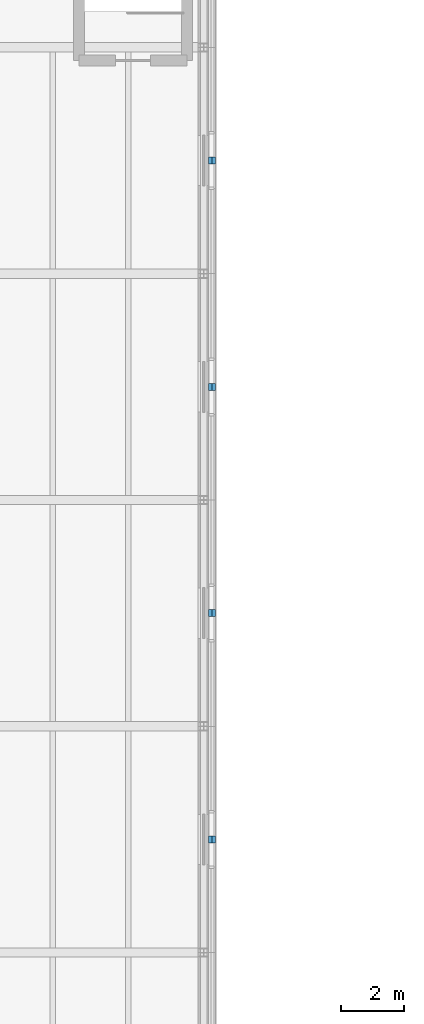
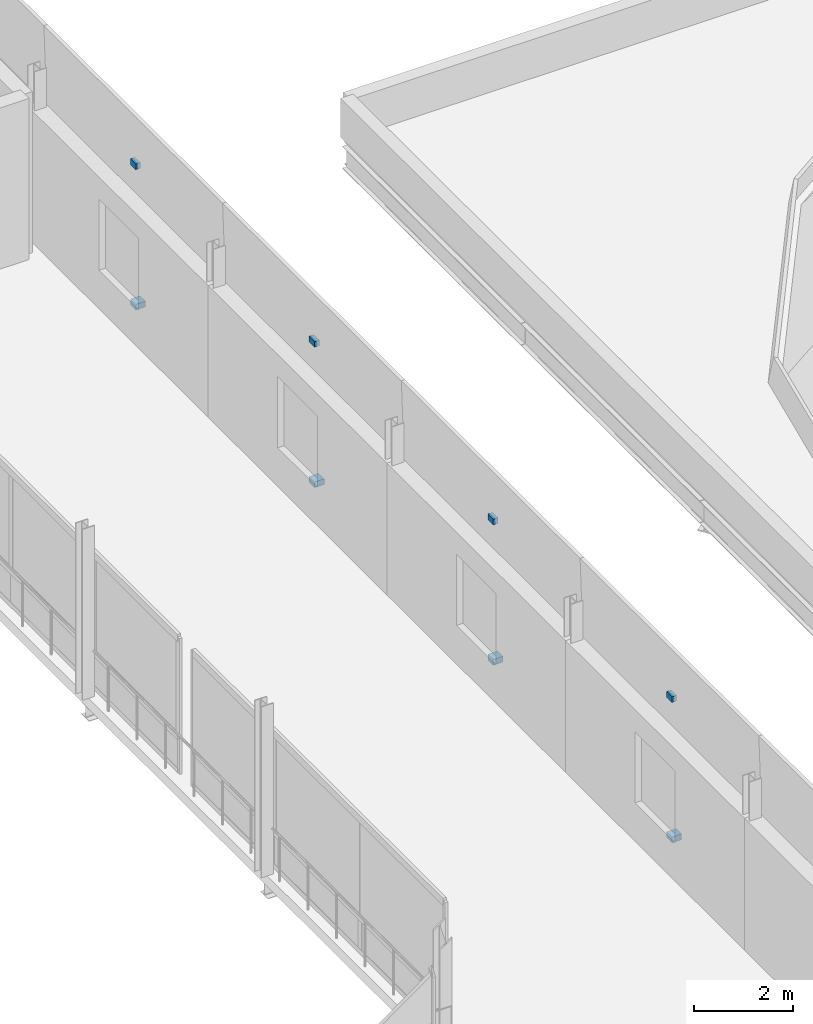
# One storey, part 54 of 66: 8 discrete accessories.
"""IFC4 building model written with IfcOpenShell, lengths in metres."""

from ifc_helpers import new_model, si_unit, direction, frame, origin, origin_2d, place, context, subcontext, project, spatial, rectangle, extrude, material, layer, layer_set, type_object, element, save


model = new_model("IFC4")

# Units and contexts
model_context = context("Model", 3, precision=1e-05, world=origin(), true_north=direction((0.0, 1.0)))
body_context = subcontext(model_context, "Body", "Model", "MODEL_VIEW")
ifc_project = project(units=[si_unit("LENGTHUNIT", "METRE"), si_unit("AREAUNIT", "SQUARE_METRE"), si_unit("VOLUMEUNIT", "CUBIC_METRE"), si_unit("PLANEANGLEUNIT", "RADIAN"), si_unit("MASSUNIT", "GRAM", prefix="KILO")], contexts=[model_context])

# Site, building, storey
site_placement = place(None, origin())
site = spatial("IfcSite", under=ifc_project, at=site_placement, CompositionType="ELEMENT")
building_placement = place(site_placement, origin())
building = spatial("IfcBuilding", under=site, at=building_placement, Name="Narikvali Park Central Library", CompositionType="ELEMENT")
storey_placement = place(building_placement, frame((0.0, 0.0, 18.60009765625)))
storey = spatial("IfcBuildingStorey", under=building, at=storey_placement, Name="L04", CompositionType="ELEMENT", Elevation=18.60009765625)

# Discrete accessories
ifc_material = material(Name="Brushed Stainless Steel S355", Category="steel")
ifc_layer = layer(ifc_material, 0.139892578125, Name="Brushed Stainless Steel S355")
ifc_layer_set = layer_set([ifc_layer], Name="Brushed Stainless Steel S355")
discrete_accessory_type = type_object("IfcDiscreteAccessoryType", Name="Cladding Stainless Tie-Back Corbel Bracket", PredefinedType="BRACKET", material=ifc_layer_set)
discrete_accessory_1_placement = place(storey_placement, frame((57.86376953125, 68.39990234375, 0.40478515625), z_axis=(0.0, 0.0, 1.0), x_axis=(1.0, 0.0, 0.0)))
element("IfcDiscreteAccessory", 1, at=discrete_accessory_1_placement, inside=storey, type_object=discrete_accessory_type, Name="Limestone Cladding Tie-Back Bracket V4-CLD-L04-E-B02-SP", PredefinedType="BRACKET", context=body_context, shape_type="SweptSolid", body=[
    extrude(rectangle(XDim=0.2275390625, YDim=0.219970703125, at=origin_2d()), origin(), (0.0, 0.0, 1.0), 0.139892578125),
])
discrete_accessory_2_placement = place(storey_placement, frame((57.8056640625, 68.39990234375, 3.85498046875), z_axis=(0.0, 0.0, 1.0), x_axis=(1.0, 0.0, 0.0)))
element("IfcDiscreteAccessory", 2, at=discrete_accessory_2_placement, inside=storey, type_object=discrete_accessory_type, Name="Limestone Cladding Tie-Back Bracket V4-CLD-L04-E-B02-LN", PredefinedType="BRACKET", context=body_context, shape_type="SweptSolid", body=[
    extrude(rectangle(XDim=0.111083984375, YDim=0.219970703125, at=origin_2d()), origin(), (0.0, 0.0, 1.0), 0.139892578125),
])
discrete_accessory_3_placement = place(storey_placement, frame((57.86376953125, 75.60009765625, 0.40478515625), z_axis=(0.0, 0.0, 1.0), x_axis=(1.0, 0.0, 0.0)))
element("IfcDiscreteAccessory", 3, at=discrete_accessory_3_placement, inside=storey, type_object=discrete_accessory_type, Name="Limestone Cladding Tie-Back Bracket V4-CLD-L04-E-B03-SP", PredefinedType="BRACKET", context=body_context, shape_type="SweptSolid", body=[
    extrude(rectangle(XDim=0.2275390625, YDim=0.219970703125, at=origin_2d()), origin(), (0.0, 0.0, 1.0), 0.139892578125),
])
discrete_accessory_4_placement = place(storey_placement, frame((57.8056640625, 75.60009765625, 3.85498046875), z_axis=(0.0, 0.0, 1.0), x_axis=(1.0, 0.0, 0.0)))
element("IfcDiscreteAccessory", 4, at=discrete_accessory_4_placement, inside=storey, type_object=discrete_accessory_type, Name="Limestone Cladding Tie-Back Bracket V4-CLD-L04-E-B03-LN", PredefinedType="BRACKET", context=body_context, shape_type="SweptSolid", body=[
    extrude(rectangle(XDim=0.111083984375, YDim=0.219970703125, at=origin_2d()), origin(), (0.0, 0.0, 1.0), 0.139892578125),
])
discrete_accessory_5_placement = place(storey_placement, frame((57.86376953125, 82.800048828125, 0.40478515625), z_axis=(0.0, 0.0, 1.0), x_axis=(1.0, 0.0, 0.0)))
element("IfcDiscreteAccessory", 5, at=discrete_accessory_5_placement, inside=storey, type_object=discrete_accessory_type, Name="Limestone Cladding Tie-Back Bracket V4-CLD-L04-E-B04-SP", PredefinedType="BRACKET", context=body_context, shape_type="SweptSolid", body=[
    extrude(rectangle(XDim=0.2275390625, YDim=0.219970703125, at=origin_2d()), origin(), (0.0, 0.0, 1.0), 0.139892578125),
])
discrete_accessory_6_placement = place(storey_placement, frame((57.8056640625, 82.800048828125, 3.85498046875), z_axis=(0.0, 0.0, 1.0), x_axis=(1.0, 0.0, 0.0)))
element("IfcDiscreteAccessory", 6, at=discrete_accessory_6_placement, inside=storey, type_object=discrete_accessory_type, Name="Limestone Cladding Tie-Back Bracket V4-CLD-L04-E-B04-LN", PredefinedType="BRACKET", context=body_context, shape_type="SweptSolid", body=[
    extrude(rectangle(XDim=0.111083984375, YDim=0.219970703125, at=origin_2d()), origin(), (0.0, 0.0, 1.0), 0.139892578125),
])
discrete_accessory_7_placement = place(storey_placement, frame((57.86376953125, 90.0, 0.40478515625), z_axis=(0.0, 0.0, 1.0), x_axis=(1.0, 0.0, 0.0)))
element("IfcDiscreteAccessory", 7, at=discrete_accessory_7_placement, inside=storey, type_object=discrete_accessory_type, Name="Limestone Cladding Tie-Back Bracket V4-CLD-L04-E-B05-SP", PredefinedType="BRACKET", context=body_context, shape_type="SweptSolid", body=[
    extrude(rectangle(XDim=0.2275390625, YDim=0.219970703125, at=origin_2d()), origin(), (0.0, 0.0, 1.0), 0.139892578125),
])
discrete_accessory_8_placement = place(storey_placement, frame((57.8056640625, 90.0, 3.85498046875), z_axis=(0.0, 0.0, 1.0), x_axis=(1.0, 0.0, 0.0)))
element("IfcDiscreteAccessory", 8, at=discrete_accessory_8_placement, inside=storey, type_object=discrete_accessory_type, Name="Limestone Cladding Tie-Back Bracket V4-CLD-L04-E-B05-LN", PredefinedType="BRACKET", context=body_context, shape_type="SweptSolid", body=[
    extrude(rectangle(XDim=0.111083984375, YDim=0.219970703125, at=origin_2d()), origin(), (0.0, 0.0, 1.0), 0.139892578125),
])

save(model, "model.ifc")
